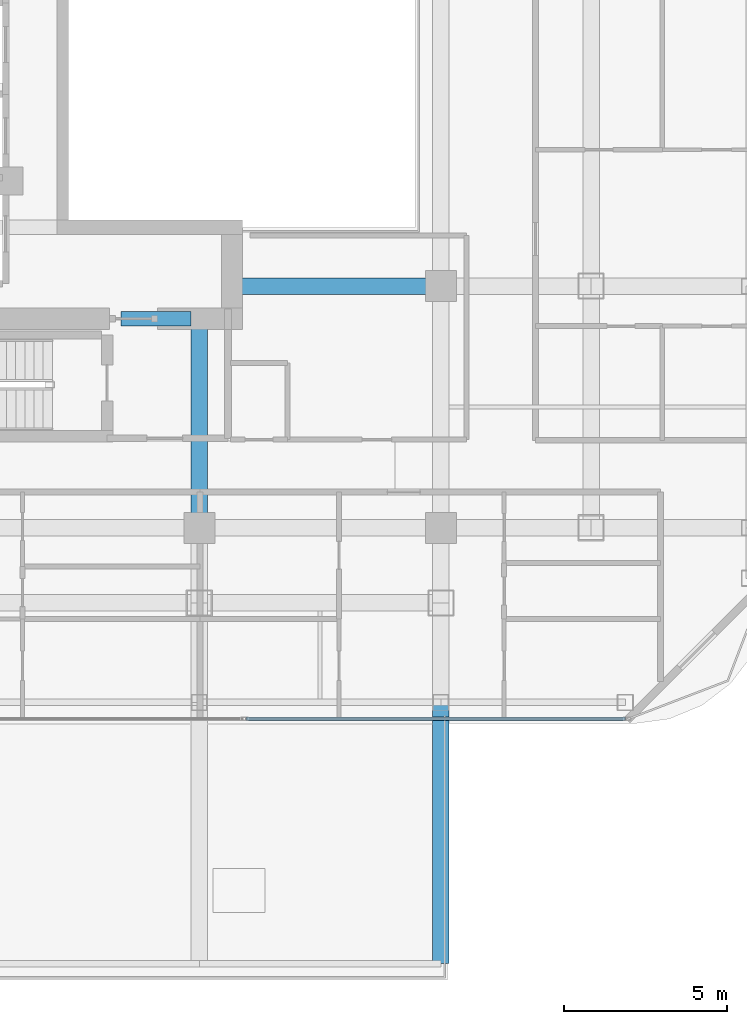
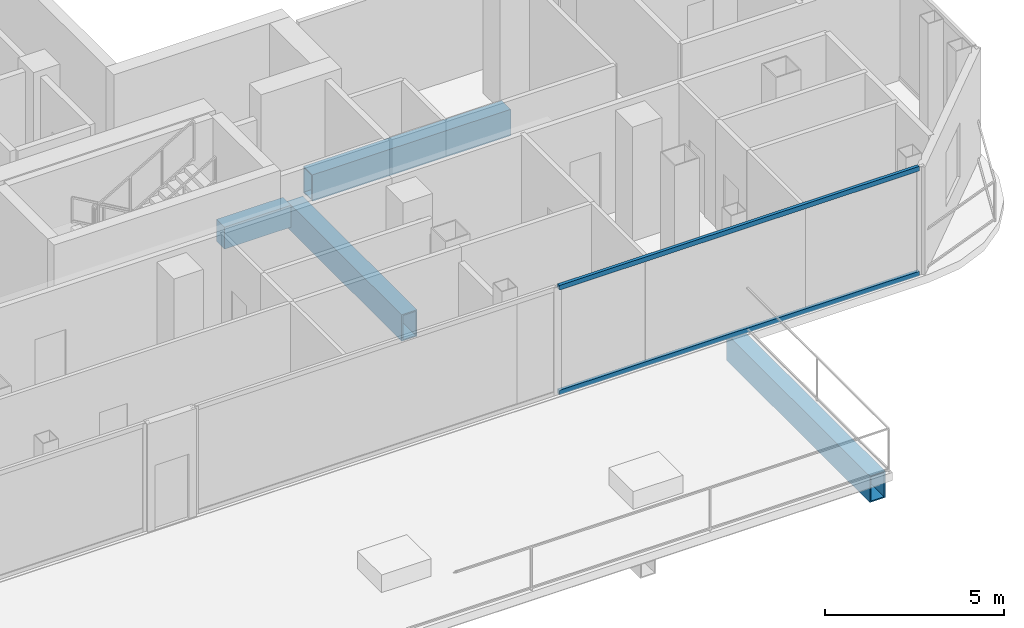
# One storey, part 7 of 25: 4 beams, 2 members, 1 element without a shape of its own.
"""IFC4 building model written with IfcOpenShell, lengths in metres."""

from ifc_helpers import new_model, si_unit, direction, frame, origin, origin_2d, place, context, subcontext, project, spatial, rectangle, hollow_rectangle, extrude, material, layer, layer_set, material_profile, profile_set, type_object, element, aggregate, save


model = new_model("IFC4")

# Units and contexts
model_context = context("Model", 3, precision=1e-05, world=origin(), true_north=direction((0.0, 1.0)))
body_context = subcontext(model_context, "Body", "Model", "MODEL_VIEW")
ifc_project = project(units=[si_unit("LENGTHUNIT", "METRE"), si_unit("AREAUNIT", "SQUARE_METRE"), si_unit("VOLUMEUNIT", "CUBIC_METRE"), si_unit("PLANEANGLEUNIT", "RADIAN"), si_unit("MASSUNIT", "GRAM", prefix="KILO")], contexts=[model_context])

# Site, building, storey
site_placement = place(None, origin())
site = spatial("IfcSite", under=ifc_project, at=site_placement, CompositionType="ELEMENT")
building_placement = place(site_placement, origin())
building = spatial("IfcBuilding", under=site, at=building_placement, Name="Khorvyn Point Tower", CompositionType="ELEMENT")
storey_placement = place(building_placement, frame((0.0, 0.0, 254.699951171875)))
storey = spatial("IfcBuildingStorey", under=building, at=storey_placement, Name="L62", CompositionType="ELEMENT", Elevation=254.699951171875)

# Curtain wall, members
ifc_material_1 = material(Name="Anodised aluminium 6063-T6 and laminated Low-E glass", Category="aluminium")
ifc_layer = layer(ifc_material_1, 0.18994140625)
ifc_layer_set = layer_set([ifc_layer], Name="Stick-Built High-Wind Curtain Wall CW-SYS-04")
curtain_wall_type = type_object("IfcCurtainWallType", Name="Stick-Built High-Wind Curtain Wall CW-SYS-04", PredefinedType="NOTDEFINED", material=ifc_layer_set)
curtain_wall_placement = place(storey_placement, origin())
curtain_wall = element("IfcCurtainWall", 1, at=curtain_wall_placement, inside=storey, type_object=curtain_wall_type, Name="Curtain Wall", PredefinedType="NOTDEFINED")
ifc_material_2 = material(Name="Anodised aluminium 6063-T6", Category="aluminium")
ifc_material_profile_1 = material_profile(ifc_material_2, hollow_rectangle(XDim=0.10009765625, YDim=0.159912109375, WallThickness=0.00439453125, at=origin_2d()))
ifc_profile_set_1 = profile_set([ifc_material_profile_1], Name="Anodised aluminium 6063-T6 ALU-TRN-100x160")
member_type = type_object("IfcMemberType", Name="Anodised Aluminium 6063-T6 Transom ALU-TRN-100x160", PredefinedType="USERDEFINED", material=ifc_profile_set_1)
member_1_placement = place(storey_placement, frame((20.449951171875, -20.64990234375, 0.050048828125), z_axis=(-1.0, 0.0, 0.0), x_axis=(0.0, -1.0, 0.0)))
member_1 = element("IfcMember", 2, at=member_1_placement, type_object=member_type, Name="Transom", ObjectType="TRANSOM", PredefinedType="USERDEFINED", context=body_context, shape_type="SweptSolid", body=[
    extrude(hollow_rectangle(XDim=0.10009765625, YDim=0.159912109375, WallThickness=0.00439453125, at=origin_2d()), origin(), (0.0, 0.0, 1.0), 11.616943359375),
])
member_2_placement = place(storey_placement, frame((20.449951171875, -20.64990234375, 3.630126953125), z_axis=(-1.0, 0.0, 0.0), x_axis=(0.0, -1.0, 0.0)))
member_2 = element("IfcMember", 3, at=member_2_placement, type_object=member_type, Name="Transom", ObjectType="TRANSOM", PredefinedType="USERDEFINED", context=body_context, shape_type="SweptSolid", body=[
    extrude(hollow_rectangle(XDim=0.10009765625, YDim=0.159912109375, WallThickness=0.00439453125, at=origin_2d()), origin(), (0.0, 0.0, 1.0), 11.616943359375),
])
aggregate(curtain_wall, [member_1, member_2])

# Beams
ifc_material_3 = material(Name="Concrete C40/50", Category="concrete")
ifc_material_profile_2 = material_profile(ifc_material_3, rectangle(XDim=0.449951171875, YDim=0.75, at=origin_2d()))
ifc_profile_set_2 = profile_set([ifc_material_profile_2], Name="Concrete C40/50 RC450x750")
beam_type_1 = type_object("IfcBeamType", Name="Concrete C40/50 Beam RC450x750", PredefinedType="BEAM", material=ifc_profile_set_2)
beam_1_placement = place(storey_placement, frame((5.0, -8.39990234375, -0.655029296875), z_axis=(1.0, 0.0, 0.0), x_axis=(0.0, 1.0, 0.0)))
element("IfcBeam", 4, at=beam_1_placement, inside=storey, type_object=beam_type_1, Name="L62 Core Southeast Portal Coupling Beam", PredefinedType="BEAM", context=body_context, shape_type="SweptSolid", body=[
    extrude(rectangle(XDim=0.449951171875, YDim=0.75, at=origin_2d()), origin(), (0.0, 0.0, 1.0), 2.14990234375),
])
ifc_material_4 = material(Name="Steel S450", Category="steel")
ifc_material_profile_3 = material_profile(ifc_material_4, hollow_rectangle(XDim=0.5, YDim=0.89990234375, WallThickness=0.0400390625, at=origin_2d()))
ifc_profile_set_3 = profile_set([ifc_material_profile_3], Name="Steel S450 BOX900x500x40")
beam_type_2 = type_object("IfcBeamType", Name="Steel S450 Beam BOX900x500x40", PredefinedType="BEAM", material=ifc_profile_set_3)
beam_2_placement = place(storey_placement, frame((8.39990234375, -7.39990234375, -0.72998046875), z_axis=(1.0, 0.0, 0.0), x_axis=(0.0, 1.0, 0.0)))
element("IfcBeam", 5, at=beam_2_placement, inside=storey, type_object=beam_type_2, Name="Beam", PredefinedType="BEAM", context=body_context, shape_type="SweptSolid", body=[
    extrude(hollow_rectangle(XDim=0.5, YDim=0.89990234375, WallThickness=0.0400390625, at=origin_2d()), origin(), (0.0, 0.0, 1.0), 6.400146484375),
])
beam_3_placement = place(storey_placement, frame((14.800048828125, -28.14990234375, -0.72998046875), z_axis=(0.0, 1.0, 0.0), x_axis=(-1.0, 0.0, 0.0)))
element("IfcBeam", 6, at=beam_3_placement, inside=storey, type_object=beam_type_2, Name="L62 Radial Transfer Girder", PredefinedType="BEAM", context=body_context, shape_type="SweptSolid", body=[
    extrude(hollow_rectangle(XDim=0.5, YDim=0.89990234375, WallThickness=0.0400390625, at=origin_2d()), origin(), (0.0, 0.0, 1.0), 8.0),
])
beam_4_placement = place(storey_placement, frame((7.39990234375, -14.800048828125, -0.72998046875), z_axis=(0.0, 1.0, 0.0), x_axis=(-1.0, 0.0, 0.0)))
element("IfcBeam", 7, at=beam_4_placement, inside=storey, type_object=beam_type_2, Name="Beam", PredefinedType="BEAM", context=body_context, shape_type="SweptSolid", body=[
    extrude(hollow_rectangle(XDim=0.5, YDim=0.89990234375, WallThickness=0.0400390625, at=origin_2d()), origin(), (0.0, 0.0, 1.0), 6.400146484375),
])

save(model, "model.ifc")
